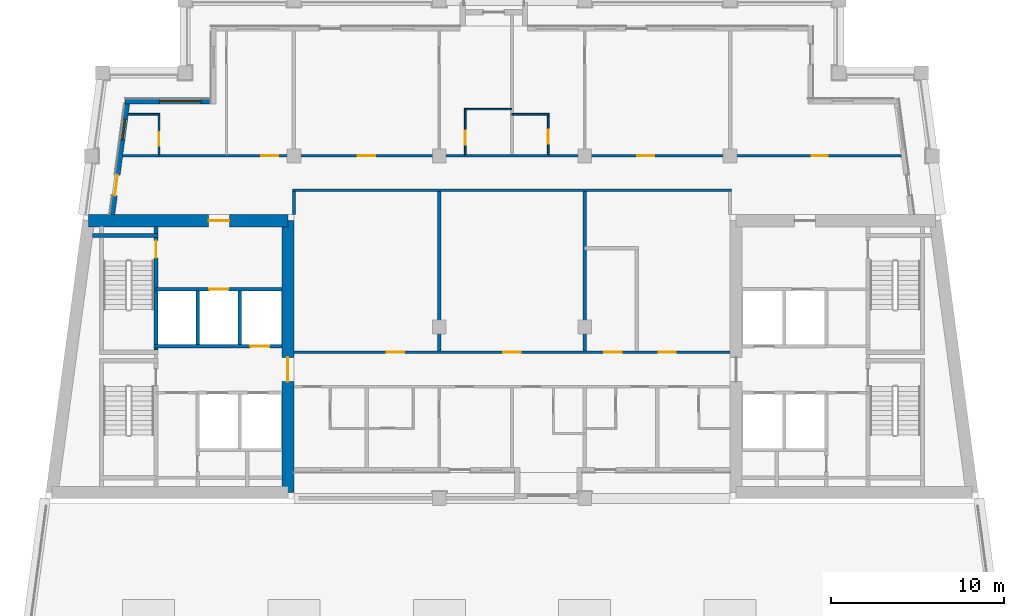
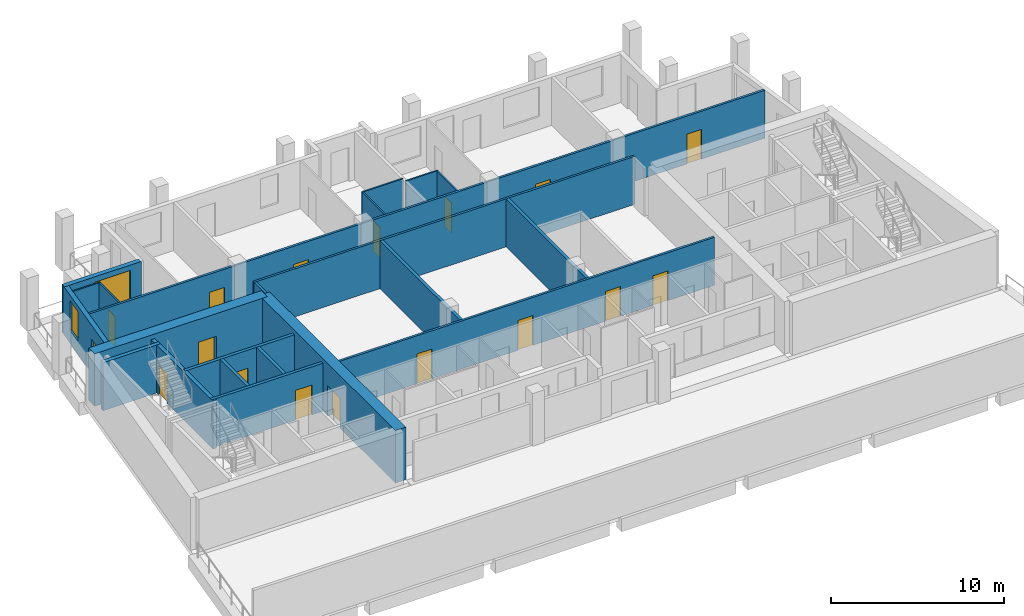
# One storey, part 3 of 12: 22 walls, 17 doors, 2 windows, 19 openings.
"""IFC4 building model written with IfcOpenShell, lengths in metres."""

from ifc_helpers import new_model, si_unit, direction, frame, frame_2d, origin, place, context, subcontext, project, spatial, rectangle, extrude, material, layer, layer_set, type_object, element, fill, save


model = new_model("IFC4")

# Units and contexts
model_context = context("Model", 3, precision=1e-05, world=origin(), true_north=direction((0.0, 1.0)))
body_context = subcontext(model_context, "Body", "Model", "MODEL_VIEW")
ifc_project = project(units=[si_unit("LENGTHUNIT", "METRE"), si_unit("AREAUNIT", "SQUARE_METRE"), si_unit("VOLUMEUNIT", "CUBIC_METRE"), si_unit("PLANEANGLEUNIT", "RADIAN"), si_unit("MASSUNIT", "GRAM", prefix="KILO")], contexts=[model_context])

# Site, building, storey
site_placement = place(None, origin())
site = spatial("IfcSite", under=ifc_project, at=site_placement, CompositionType="ELEMENT")
building_placement = place(site_placement, origin())
building = spatial("IfcBuilding", under=site, at=building_placement, Name="Candeia Pilgrim Tower and Theatre", CompositionType="ELEMENT")
storey_placement = place(building_placement, frame((0.0, 0.0, 281.199951171875)))
storey = spatial("IfcBuildingStorey", under=building, at=storey_placement, Name="L68", CompositionType="ELEMENT", Elevation=281.199951171875)

# Wall, opening, door
ifc_material_1 = material(Name="Concrete C40/50", Category="concrete")
ifc_layer_1 = layer(ifc_material_1, 0.699951171875)
ifc_layer_set_1 = layer_set([ifc_layer_1], Name="Core wall 700 C40/50")
wall_type_1 = type_object("IfcWallType", Name="Core wall 700 C40/50", PredefinedType="SHEAR", material=ifc_layer_set_1)
wall_1_placement = place(storey_placement, frame((88.936767578125, 132.050048828125, 0.0), z_axis=(0.0, 0.0, 1.0), x_axis=(1.0, 0.0, 0.0)))
wall_1 = element("IfcWall", 1, at=wall_1_placement, inside=storey, type_object=wall_type_1, Name="Core wall W1", PredefinedType="SHEAR", context=body_context, shape_type="SweptSolid", body=[
    extrude(rectangle(XDim=11.51318359375, YDim=0.699951171875, at=frame_2d((5.756591796875, 0.0))), origin(), (0.0, 0.0, 1.0), 3.699951171875),
])
opening_1_placement = place(wall_1_placement, frame((6.9267578125, 0.0, 0.0)))
opening_1 = element("IfcOpeningElement", 2, at=opening_1_placement, cuts=wall_1, Name="Opening L68-D034", PredefinedType="OPENING", context=body_context, shape_type="SweptSolid", body=[
    extrude(rectangle(XDim=1.199951171875, YDim=2.10009765625, at=frame_2d((0.60009765625, 1.050048828125))), frame((0.0, 0.35986328125, 0.0), z_axis=(0.0, -1.0, 0.0), x_axis=(1.0, 0.0, 0.0)), (0.0, 0.0, 1.0), 0.719970703125),
])
ifc_material_2 = material(Name="Steel fire door set", Category="steel")
door_type_1 = type_object("IfcDoorType", Name="D-1200-FD60", OperationType="NOTDEFINED", PredefinedType="DOOR", material=ifc_material_2)
door_1_placement = place(opening_1_placement, origin())
door_1 = element("IfcDoor", 3, at=door_1_placement, inside=storey, type_object=door_type_1, Name="Door L68-D034", OperationType="SINGLE_SWING_RIGHT", OverallHeight=2.10009765625, OverallWidth=1.199951171875, PredefinedType="DOOR", context=body_context, shape_type="SweptSolid", body=[
    extrude(rectangle(XDim=1.199951171875, YDim=2.10009765625, at=frame_2d((0.60009765625, 1.050048828125))), frame((0.0, 0.02490234375, 0.0), z_axis=(0.0, -1.0, 0.0), x_axis=(1.0, 0.0, 0.0)), (0.0, 0.0, 1.0), 0.050048828125),
])
fill(opening_1, door_1)

wall_2_placement = place(storey_placement, frame((100.449951171875, 132.050048828125, 0.0), z_axis=(0.0, 0.0, 1.0), x_axis=(0.0, -1.0, 0.0)))
wall_2 = element("IfcWall", 4, at=wall_2_placement, inside=storey, type_object=wall_type_1, Name="Core wall W2", PredefinedType="SHEAR", context=body_context, shape_type="SweptSolid", body=[
    extrude(rectangle(XDim=15.699951171875, YDim=0.699951171875, at=frame_2d((7.85009765625, 0.0))), origin(), (0.0, 0.0, 1.0), 3.699951171875),
])
opening_2_placement = place(wall_2_placement, frame((7.89990234375, 0.0, 0.0)))
opening_2 = element("IfcOpeningElement", 5, at=opening_2_placement, cuts=wall_2, Name="Opening L68-D035", PredefinedType="OPENING", context=body_context, shape_type="SweptSolid", body=[
    extrude(rectangle(XDim=1.39990234375, YDim=2.10009765625, at=frame_2d((0.699951171875, 1.050048828125))), frame((0.0, 0.35986328125, 0.0), z_axis=(0.0, -1.0, 0.0), x_axis=(1.0, 0.0, 0.0)), (0.0, 0.0, 1.0), 0.719970703125),
])
door_type_2 = type_object("IfcDoorType", Name="D-1400-FD60", OperationType="NOTDEFINED", PredefinedType="DOOR", material=ifc_material_2)
door_2_placement = place(opening_2_placement, origin())
door_2 = element("IfcDoor", 6, at=door_2_placement, inside=storey, type_object=door_type_2, Name="Door L68-D035", OperationType="SINGLE_SWING_LEFT", OverallHeight=2.10009765625, OverallWidth=1.39990234375, PredefinedType="DOOR", context=body_context, shape_type="SweptSolid", body=[
    extrude(rectangle(XDim=1.39990234375, YDim=2.10009765625, at=frame_2d((0.699951171875, 1.050048828125))), frame((0.0, 0.02490234375, 0.0), z_axis=(0.0, -1.0, 0.0), x_axis=(1.0, 0.0, 0.0)), (0.0, 0.0, 1.0), 0.050048828125),
])
fill(opening_2, door_2)

# Wall, openings, door, window
ifc_material_3 = material(Name="Ceramic block masonry", Category="masonry")
ifc_layer_2 = layer(ifc_material_3, 0.300048828125)
ifc_layer_set_2 = layer_set([ifc_layer_2], Name="EW1 glazing-line wall 300")
wall_type_2 = type_object("IfcWallType", Name="EW1 glazing-line wall 300", PredefinedType="SOLIDWALL", material=ifc_layer_set_2)
wall_3_placement = place(storey_placement, frame((91.177490234375, 138.949951171875, 0.0), z_axis=(0.0, 0.0, 1.0), x_axis=(-0.133426664613, -0.991058689065, 0.0)))
wall_3 = element("IfcWall", 7, at=wall_3_placement, inside=storey, type_object=wall_type_2, Name="External wall L68-0.0", PredefinedType="SOLIDWALL", context=body_context, shape_type="SweptSolid", body=[
    extrude(rectangle(XDim=6.609130859375, YDim=0.300048828125, at=frame_2d((3.3046875, 0.0))), origin(), (0.0, 0.0, 1.0), 3.380126953125),
])
opening_3_placement = place(wall_3_placement, frame((1.039306640625, 0.0, 0.89990234375)))
opening_3 = element("IfcOpeningElement", 8, at=opening_3_placement, cuts=wall_3, Name="Opening W-B", PredefinedType="OPENING", context=body_context, shape_type="SweptSolid", body=[
    extrude(rectangle(XDim=1.199951171875, YDim=2.10009765625, at=frame_2d((0.60009765625, 1.050048828125))), frame((0.0, 0.16015625, 0.0), z_axis=(0.0, -1.0, 0.0), x_axis=(1.0, 0.0, 0.0)), (0.0, 0.0, 1.0), 0.320068359375),
])
opening_4_placement = place(wall_3_placement, frame((4.293701171875, 0.0, 0.0)))
opening_4 = element("IfcOpeningElement", 9, at=opening_4_placement, cuts=wall_3, Name="Opening L68-ED636", PredefinedType="OPENING", context=body_context, shape_type="SweptSolid", body=[
    extrude(rectangle(XDim=1.199951171875, YDim=2.39990234375, at=frame_2d((0.60009765625, 1.199951171875))), frame((0.0, 0.16015625, 0.0), z_axis=(0.0, -1.0, 0.0), x_axis=(1.0, 0.0, 0.0)), (0.0, 0.0, 1.0), 0.320068359375),
])
ifc_material_4 = material(Name="Aluminium framed glazed door", Category="aluminium")
door_type_3 = type_object("IfcDoorType", Name="Loggia door 1200x2400", OperationType="DOUBLE_DOOR_SINGLE_SWING", PredefinedType="DOOR", material=ifc_material_4)
door_3_placement = place(opening_4_placement, origin())
door_3 = element("IfcDoor", 10, at=door_3_placement, inside=storey, type_object=door_type_3, Name="Loggia door L68-ED636", OperationType="DOUBLE_DOOR_SINGLE_SWING", OverallHeight=2.39990234375, OverallWidth=1.199951171875, PredefinedType="DOOR", context=body_context, shape_type="SweptSolid", body=[
    extrude(rectangle(XDim=1.199951171875, YDim=2.39990234375, at=frame_2d((0.60009765625, 1.199951171875))), frame((0.0, 0.02490234375, 0.0), z_axis=(0.0, -1.0, 0.0), x_axis=(1.0, 0.0, 0.0)), (0.0, 0.0, 1.0), 0.050048828125),
])
fill(opening_4, door_3)
ifc_material_5 = material(Name="Aluminium framed double glazing", Category="aluminium")
window_type_1 = type_object("IfcWindowType", Name="W-B window 1200x2100", PartitioningType="SINGLE_PANEL", PredefinedType="WINDOW", material=ifc_material_5)
window_1_placement = place(opening_3_placement, origin())
window_1 = element("IfcWindow", 11, at=window_1_placement, inside=storey, type_object=window_type_1, Name="Window W-B L68", OverallHeight=2.10009765625, OverallWidth=1.199951171875, PartitioningType="SINGLE_PANEL", PredefinedType="WINDOW", context=body_context, shape_type="SweptSolid", body=[
    extrude(rectangle(XDim=1.199951171875, YDim=2.10009765625, at=frame_2d((0.60009765625, 1.050048828125))), frame((0.0, 0.030029296875, 0.0), z_axis=(0.0, -1.0, 0.0), x_axis=(1.0, 0.0, 0.0)), (0.0, 0.0, 1.0), 0.06005859375),
])
fill(opening_3, window_1)

# Wall, opening, window
wall_4_placement = place(storey_placement, frame((96.14990234375, 138.949951171875, 0.0), z_axis=(0.0, 0.0, 1.0), x_axis=(-1.0, 0.0, 0.0)))
wall_4 = element("IfcWall", 12, at=wall_4_placement, inside=storey, type_object=wall_type_2, Name="External wall L68-7.0", PredefinedType="SOLIDWALL", context=body_context, shape_type="SweptSolid", body=[
    extrude(rectangle(XDim=5.103759765625, YDim=0.300048828125, at=frame_2d((2.5517578125, 0.0))), origin(), (0.0, 0.0, 1.0), 3.380126953125),
])
opening_5_placement = place(wall_4_placement, frame((0.72509765625, 0.0, 0.89990234375)))
opening_5 = element("IfcOpeningElement", 13, at=opening_5_placement, cuts=wall_4, Name="Opening W-A", PredefinedType="OPENING", context=body_context, shape_type="SweptSolid", body=[
    extrude(rectangle(XDim=2.39990234375, YDim=2.10009765625, at=frame_2d((1.199951171875, 1.050048828125))), frame((0.0, 0.16015625, 0.0), z_axis=(0.0, -1.0, 0.0), x_axis=(1.0, 0.0, 0.0)), (0.0, 0.0, 1.0), 0.320068359375),
])
window_type_2 = type_object("IfcWindowType", Name="W-A window 2400x2100", PartitioningType="DOUBLE_PANEL_VERTICAL", PredefinedType="WINDOW", material=ifc_material_5)
window_2_placement = place(opening_5_placement, origin())
window_2 = element("IfcWindow", 14, at=window_2_placement, inside=storey, type_object=window_type_2, Name="Window W-A L68", OverallHeight=2.10009765625, OverallWidth=2.39990234375, PartitioningType="SINGLE_PANEL", PredefinedType="WINDOW", context=body_context, shape_type="SweptSolid", body=[
    extrude(rectangle(XDim=2.39990234375, YDim=2.10009765625, at=frame_2d((1.199951171875, 1.050048828125))), frame((0.0, 0.030029296875, 0.0), z_axis=(0.0, -1.0, 0.0), x_axis=(1.0, 0.0, 0.0)), (0.0, 0.0, 1.0), 0.06005859375),
])
fill(opening_5, window_2)

# Walls
ifc_material_6 = material(Name="Gypsum board partition on steel studs", Category="steel")
ifc_layer_3 = layer(ifc_material_6, 0.10009765625)
ifc_layer_set_3 = layer_set([ifc_layer_3], Name="PW-100 room partition")
wall_type_3 = type_object("IfcWallType", Name="PW-100 room partition", PredefinedType="PARTITIONING", material=ifc_layer_set_3)
wall_5_placement = place(storey_placement, frame((91.2177734375, 138.199951171875, 0.0), z_axis=(0.0, 0.0, 1.0), x_axis=(1.0, 0.0, 0.0)))
element("IfcWall", 15, at=wall_5_placement, inside=storey, type_object=wall_type_3, Name="Room partition L68-036", PredefinedType="PARTITIONING", context=body_context, shape_type="SweptSolid", body=[
    extrude(rectangle(XDim=1.832275390625, YDim=0.10009765625, at=frame_2d((0.916015625, 0.0))), origin(), (0.0, 0.0, 1.0), 3.380126953125),
])
wall_6_placement = place(storey_placement, frame((113.39990234375, 138.199951171875, 0.0), z_axis=(0.0, 0.0, 1.0), x_axis=(1.0, 0.0, 0.0)))
element("IfcWall", 16, at=wall_6_placement, inside=storey, type_object=wall_type_3, Name="Room partition L68-037", PredefinedType="PARTITIONING", context=body_context, shape_type="SweptSolid", body=[
    extrude(rectangle(XDim=2.150146484375, YDim=0.10009765625, at=frame_2d((1.0751953125, 0.0))), origin(), (0.0, 0.0, 1.0), 3.380126953125),
])
wall_7_placement = place(storey_placement, frame((110.64990234375, 138.5, 0.0), z_axis=(0.0, 0.0, 1.0), x_axis=(1.0, 0.0, 0.0)))
element("IfcWall", 17, at=wall_7_placement, inside=storey, type_object=wall_type_3, Name="Room partition L68-038", PredefinedType="PARTITIONING", context=body_context, shape_type="SweptSolid", body=[
    extrude(rectangle(XDim=2.75, YDim=0.10009765625, at=frame_2d((1.375, 0.0))), origin(), (0.0, 0.0, 1.0), 3.380126953125),
])

# Wall, opening, door
wall_8_placement = place(storey_placement, frame((93.0, 135.875, 0.0), z_axis=(0.0, 0.0, 1.0), x_axis=(0.0, 1.0, 0.0)))
wall_8 = element("IfcWall", 18, at=wall_8_placement, inside=storey, type_object=wall_type_3, Name="Room partition L68-044", PredefinedType="PARTITIONING", context=body_context, shape_type="SweptSolid", body=[
    extrude(rectangle(XDim=2.27490234375, YDim=0.10009765625, at=frame_2d((1.137451171875, 0.0))), origin(), (0.0, 0.0, 1.0), 3.380126953125),
])
opening_6_placement = place(wall_8_placement, frame((0.5, 0.0, 0.0)))
opening_6 = element("IfcOpeningElement", 19, at=opening_6_placement, cuts=wall_8, Name="Opening L68-D022", PredefinedType="OPENING", context=body_context, shape_type="SweptSolid", body=[
    extrude(rectangle(XDim=0.800048828125, YDim=2.10009765625, at=frame_2d((0.39990234375, 1.050048828125))), frame((0.0, 0.06005859375, 0.0), z_axis=(0.0, -1.0, 0.0), x_axis=(1.0, 0.0, 0.0)), (0.0, 0.0, 1.0), 0.1201171875),
])
ifc_material_7 = material(Name="Timber door leaf", Category="wood")
door_type_4 = type_object("IfcDoorType", Name="D-800", OperationType="NOTDEFINED", PredefinedType="DOOR", material=ifc_material_7)
door_4_placement = place(opening_6_placement, origin())
door_4 = element("IfcDoor", 20, at=door_4_placement, inside=storey, type_object=door_type_4, Name="Door L68-D022", OperationType="SINGLE_SWING_RIGHT", OverallHeight=2.10009765625, OverallWidth=0.800048828125, PredefinedType="DOOR", context=body_context, shape_type="SweptSolid", body=[
    extrude(rectangle(XDim=0.800048828125, YDim=2.10009765625, at=frame_2d((0.39990234375, 1.050048828125))), frame((0.0, 0.02490234375, 0.0), z_axis=(0.0, -1.0, 0.0), x_axis=(1.0, 0.0, 0.0)), (0.0, 0.0, 1.0), 0.050048828125),
])
fill(opening_6, door_4)

wall_9_placement = place(storey_placement, frame((110.699951171875, 135.875, 0.0), z_axis=(0.0, 0.0, 1.0), x_axis=(0.0, 1.0, 0.0)))
wall_9 = element("IfcWall", 21, at=wall_9_placement, inside=storey, type_object=wall_type_3, Name="Room partition L68-059", PredefinedType="PARTITIONING", context=body_context, shape_type="SweptSolid", body=[
    extrude(rectangle(XDim=2.574951171875, YDim=0.10009765625, at=frame_2d((1.28759765625, 0.0))), origin(), (0.0, 0.0, 1.0), 3.380126953125),
])
opening_7_placement = place(wall_9_placement, frame((0.574951171875, 0.0, 0.0)))
opening_7 = element("IfcOpeningElement", 22, at=opening_7_placement, cuts=wall_9, Name="Opening L68-D025", PredefinedType="OPENING", context=body_context, shape_type="SweptSolid", body=[
    extrude(rectangle(XDim=0.800048828125, YDim=2.10009765625, at=frame_2d((0.39990234375, 1.050048828125))), frame((0.0, 0.06005859375, 0.0), z_axis=(0.0, -1.0, 0.0), x_axis=(1.0, 0.0, 0.0)), (0.0, 0.0, 1.0), 0.1201171875),
])
door_5_placement = place(opening_7_placement, origin())
door_5 = element("IfcDoor", 23, at=door_5_placement, inside=storey, type_object=door_type_4, Name="Door L68-D025", OperationType="SINGLE_SWING_LEFT", OverallHeight=2.10009765625, OverallWidth=0.800048828125, PredefinedType="DOOR", context=body_context, shape_type="SweptSolid", body=[
    extrude(rectangle(XDim=0.800048828125, YDim=2.10009765625, at=frame_2d((0.39990234375, 1.050048828125))), frame((0.0, 0.02490234375, 0.0), z_axis=(0.0, -1.0, 0.0), x_axis=(1.0, 0.0, 0.0)), (0.0, 0.0, 1.0), 0.050048828125),
])
fill(opening_7, door_5)

wall_10_placement = place(storey_placement, frame((115.5, 135.875, 0.0), z_axis=(0.0, 0.0, 1.0), x_axis=(0.0, 1.0, 0.0)))
wall_10 = element("IfcWall", 24, at=wall_10_placement, inside=storey, type_object=wall_type_3, Name="Room partition L68-062", PredefinedType="PARTITIONING", context=body_context, shape_type="SweptSolid", body=[
    extrude(rectangle(XDim=2.27490234375, YDim=0.10009765625, at=frame_2d((1.137451171875, 0.0))), origin(), (0.0, 0.0, 1.0), 3.380126953125),
])
opening_8_placement = place(wall_10_placement, frame((0.635009765625, 0.0, 0.0)))
opening_8 = element("IfcOpeningElement", 25, at=opening_8_placement, cuts=wall_10, Name="Opening L68-D028", PredefinedType="OPENING", context=body_context, shape_type="SweptSolid", body=[
    extrude(rectangle(XDim=0.800048828125, YDim=2.10009765625, at=frame_2d((0.39990234375, 1.050048828125))), frame((0.0, 0.06005859375, 0.0), z_axis=(0.0, -1.0, 0.0), x_axis=(1.0, 0.0, 0.0)), (0.0, 0.0, 1.0), 0.1201171875),
])
door_6_placement = place(opening_8_placement, origin())
door_6 = element("IfcDoor", 26, at=door_6_placement, inside=storey, type_object=door_type_4, Name="Door L68-D028", OperationType="SINGLE_SWING_RIGHT", OverallHeight=2.10009765625, OverallWidth=0.800048828125, PredefinedType="DOOR", context=body_context, shape_type="SweptSolid", body=[
    extrude(rectangle(XDim=0.800048828125, YDim=2.10009765625, at=frame_2d((0.39990234375, 1.050048828125))), frame((0.0, 0.02490234375, 0.0), z_axis=(0.0, -1.0, 0.0), x_axis=(1.0, 0.0, 0.0)), (0.0, 0.0, 1.0), 0.050048828125),
])
fill(opening_8, door_6)

# Wall, openings, doors
ifc_layer_4 = layer(ifc_material_6, 0.14990234375)
ifc_layer_set_4 = layer_set([ifc_layer_4], Name="PW-150 unit wall")
wall_type_4 = type_object("IfcWallType", Name="PW-150 unit wall", PredefinedType="PARTITIONING", material=ifc_layer_set_4)
wall_11_placement = place(storey_placement, frame((100.800048828125, 124.449951171875, 0.0), z_axis=(0.0, 0.0, 1.0), x_axis=(1.0, 0.0, 0.0)))
wall_11 = element("IfcWall", 27, at=wall_11_placement, inside=storey, type_object=wall_type_4, Name="Unit wall L68-024", PredefinedType="PARTITIONING", context=body_context, shape_type="SweptSolid", body=[
    extrude(rectangle(XDim=25.199951171875, YDim=0.14990234375, at=frame_2d((12.60009765625, 0.0))), origin(), (0.0, 0.0, 1.0), 3.380126953125),
])
opening_9_placement = place(wall_11_placement, frame((21.074951171875, 0.0, 0.0)))
opening_9 = element("IfcOpeningElement", 28, at=opening_9_placement, cuts=wall_11, Name="Opening L68-D030", PredefinedType="OPENING", context=body_context, shape_type="SweptSolid", body=[
    extrude(rectangle(XDim=1.0, YDim=2.10009765625, at=frame_2d((0.5, 1.050048828125))), frame((0.0, 0.0849609375, 0.0), z_axis=(0.0, -1.0, 0.0), x_axis=(1.0, 0.0, 0.0)), (0.0, 0.0, 1.0), 0.169921875),
])
opening_10_placement = place(wall_11_placement, frame((5.375, 0.0, 0.0)))
opening_10 = element("IfcOpeningElement", 29, at=opening_10_placement, cuts=wall_11, Name="Opening L68-D031", PredefinedType="OPENING", context=body_context, shape_type="SweptSolid", body=[
    extrude(rectangle(XDim=1.0, YDim=2.10009765625, at=frame_2d((0.5, 1.050048828125))), frame((0.0, 0.0849609375, 0.0), z_axis=(0.0, -1.0, 0.0), x_axis=(1.0, 0.0, 0.0)), (0.0, 0.0, 1.0), 0.169921875),
])
opening_11_placement = place(wall_11_placement, frame((12.10009765625, 0.0, 0.0)))
opening_11 = element("IfcOpeningElement", 30, at=opening_11_placement, cuts=wall_11, Name="Opening L68-D032", PredefinedType="OPENING", context=body_context, shape_type="SweptSolid", body=[
    extrude(rectangle(XDim=1.0, YDim=2.10009765625, at=frame_2d((0.5, 1.050048828125))), frame((0.0, 0.0849609375, 0.0), z_axis=(0.0, -1.0, 0.0), x_axis=(1.0, 0.0, 0.0)), (0.0, 0.0, 1.0), 0.169921875),
])
opening_12_placement = place(wall_11_placement, frame((17.929931640625, 0.0, 0.0)))
opening_12 = element("IfcOpeningElement", 31, at=opening_12_placement, cuts=wall_11, Name="Opening L68-D033", PredefinedType="OPENING", context=body_context, shape_type="SweptSolid", body=[
    extrude(rectangle(XDim=1.0, YDim=2.10009765625, at=frame_2d((0.5, 1.050048828125))), frame((0.0, 0.0849609375, 0.0), z_axis=(0.0, -1.0, 0.0), x_axis=(1.0, 0.0, 0.0)), (0.0, 0.0, 1.0), 0.169921875),
])
door_type_5 = type_object("IfcDoorType", Name="D-1000-FD30S", OperationType="NOTDEFINED", PredefinedType="DOOR", material=ifc_material_2)
door_7_placement = place(opening_9_placement, origin())
door_7 = element("IfcDoor", 32, at=door_7_placement, inside=storey, type_object=door_type_5, Name="Door L68-D030", OperationType="SINGLE_SWING_RIGHT", OverallHeight=2.10009765625, OverallWidth=1.0, PredefinedType="DOOR", context=body_context, shape_type="SweptSolid", body=[
    extrude(rectangle(XDim=1.0, YDim=2.10009765625, at=frame_2d((0.5, 1.050048828125))), frame((0.0, 0.02490234375, 0.0), z_axis=(0.0, -1.0, 0.0), x_axis=(1.0, 0.0, 0.0)), (0.0, 0.0, 1.0), 0.050048828125),
])
fill(opening_9, door_7)
door_8_placement = place(opening_10_placement, origin())
door_8 = element("IfcDoor", 33, at=door_8_placement, inside=storey, type_object=door_type_5, Name="Door L68-D031", OperationType="SINGLE_SWING_LEFT", OverallHeight=2.10009765625, OverallWidth=1.0, PredefinedType="DOOR", context=body_context, shape_type="SweptSolid", body=[
    extrude(rectangle(XDim=1.0, YDim=2.10009765625, at=frame_2d((0.5, 1.050048828125))), frame((0.0, 0.02490234375, 0.0), z_axis=(0.0, -1.0, 0.0), x_axis=(1.0, 0.0, 0.0)), (0.0, 0.0, 1.0), 0.050048828125),
])
fill(opening_10, door_8)
door_9_placement = place(opening_11_placement, origin())
door_9 = element("IfcDoor", 34, at=door_9_placement, inside=storey, type_object=door_type_5, Name="Door L68-D032", OperationType="SINGLE_SWING_RIGHT", OverallHeight=2.10009765625, OverallWidth=1.0, PredefinedType="DOOR", context=body_context, shape_type="SweptSolid", body=[
    extrude(rectangle(XDim=1.0, YDim=2.10009765625, at=frame_2d((0.5, 1.050048828125))), frame((0.0, 0.02490234375, 0.0), z_axis=(0.0, -1.0, 0.0), x_axis=(1.0, 0.0, 0.0)), (0.0, 0.0, 1.0), 0.050048828125),
])
fill(opening_11, door_9)
door_10_placement = place(opening_12_placement, origin())
door_10 = element("IfcDoor", 35, at=door_10_placement, inside=storey, type_object=door_type_5, Name="Door L68-D033", OperationType="SINGLE_SWING_LEFT", OverallHeight=2.10009765625, OverallWidth=1.0, PredefinedType="DOOR", context=body_context, shape_type="SweptSolid", body=[
    extrude(rectangle(XDim=1.0, YDim=2.10009765625, at=frame_2d((0.5, 1.050048828125))), frame((0.0, 0.02490234375, 0.0), z_axis=(0.0, -1.0, 0.0), x_axis=(1.0, 0.0, 0.0)), (0.0, 0.0, 1.0), 0.050048828125),
])
fill(opening_12, door_10)

# Wall
wall_12_placement = place(storey_placement, frame((100.72509765625, 133.800048828125, 0.0), z_axis=(0.0, 0.0, 1.0), x_axis=(1.0, 0.0, 0.0)))
element("IfcWall", 36, at=wall_12_placement, inside=storey, type_object=wall_type_4, Name="Unit wall L68-034", PredefinedType="PARTITIONING", context=body_context, shape_type="SweptSolid", body=[
    extrude(rectangle(XDim=25.349853515625, YDim=0.14990234375, at=frame_2d((12.6748046875, 0.0))), origin(), (0.0, 0.0, 1.0), 3.380126953125),
])

# Wall, openings, doors
wall_13_placement = place(storey_placement, frame((90.89453125, 135.800048828125, 0.0), z_axis=(0.0, 0.0, 1.0), x_axis=(1.0, 0.0, 0.0)))
wall_13 = element("IfcWall", 37, at=wall_13_placement, inside=storey, type_object=wall_type_4, Name="Unit wall L68-035", PredefinedType="PARTITIONING", context=body_context, shape_type="SweptSolid", body=[
    extrude(rectangle(XDim=45.010986328125, YDim=0.14990234375, at=frame_2d((22.50537109375, 0.0))), origin(), (0.0, 0.0, 1.0), 3.380126953125),
])
opening_13_placement = place(wall_13_placement, frame((8.00537109375, 0.0, 0.0)))
opening_13 = element("IfcOpeningElement", 38, at=opening_13_placement, cuts=wall_13, Name="Opening L68-D020", PredefinedType="OPENING", context=body_context, shape_type="SweptSolid", body=[
    extrude(rectangle(XDim=1.0, YDim=2.10009765625, at=frame_2d((0.5, 1.050048828125))), frame((0.0, 0.0849609375, 0.0), z_axis=(0.0, -1.0, 0.0), x_axis=(1.0, 0.0, 0.0)), (0.0, 0.0, 1.0), 0.169921875),
])
opening_14_placement = place(wall_13_placement, frame((13.60546875, 0.0, 0.0)))
opening_14 = element("IfcOpeningElement", 39, at=opening_14_placement, cuts=wall_13, Name="Opening L68-D023", PredefinedType="OPENING", context=body_context, shape_type="SweptSolid", body=[
    extrude(rectangle(XDim=1.0, YDim=2.10009765625, at=frame_2d((0.5, 1.050048828125))), frame((0.0, 0.0849609375, 0.0), z_axis=(0.0, -1.0, 0.0), x_axis=(1.0, 0.0, 0.0)), (0.0, 0.0, 1.0), 0.169921875),
])
opening_15_placement = place(wall_13_placement, frame((29.7353515625, 0.0, 0.0)))
opening_15 = element("IfcOpeningElement", 40, at=opening_15_placement, cuts=wall_13, Name="Opening L68-D026", PredefinedType="OPENING", context=body_context, shape_type="SweptSolid", body=[
    extrude(rectangle(XDim=1.0, YDim=2.10009765625, at=frame_2d((0.5, 1.050048828125))), frame((0.0, 0.0849609375, 0.0), z_axis=(0.0, -1.0, 0.0), x_axis=(1.0, 0.0, 0.0)), (0.0, 0.0, 1.0), 0.169921875),
])
opening_16_placement = place(wall_13_placement, frame((39.814453125, 0.0, 0.0)))
opening_16 = element("IfcOpeningElement", 41, at=opening_16_placement, cuts=wall_13, Name="Opening L68-D029", PredefinedType="OPENING", context=body_context, shape_type="SweptSolid", body=[
    extrude(rectangle(XDim=0.949951171875, YDim=2.10009765625, at=frame_2d((0.47509765625, 1.050048828125))), frame((0.0, 0.0849609375, 0.0), z_axis=(0.0, -1.0, 0.0), x_axis=(1.0, 0.0, 0.0)), (0.0, 0.0, 1.0), 0.169921875),
])
door_11_placement = place(opening_13_placement, origin())
door_11 = element("IfcDoor", 42, at=door_11_placement, inside=storey, type_object=door_type_5, Name="Door L68-D020", OperationType="SINGLE_SWING_RIGHT", OverallHeight=2.10009765625, OverallWidth=1.0, PredefinedType="DOOR", context=body_context, shape_type="SweptSolid", body=[
    extrude(rectangle(XDim=1.0, YDim=2.10009765625, at=frame_2d((0.5, 1.050048828125))), frame((0.0, 0.02490234375, 0.0), z_axis=(0.0, -1.0, 0.0), x_axis=(1.0, 0.0, 0.0)), (0.0, 0.0, 1.0), 0.050048828125),
])
fill(opening_13, door_11)
door_12_placement = place(opening_14_placement, origin())
door_12 = element("IfcDoor", 43, at=door_12_placement, inside=storey, type_object=door_type_5, Name="Door L68-D023", OperationType="SINGLE_SWING_LEFT", OverallHeight=2.10009765625, OverallWidth=1.0, PredefinedType="DOOR", context=body_context, shape_type="SweptSolid", body=[
    extrude(rectangle(XDim=1.0, YDim=2.10009765625, at=frame_2d((0.5, 1.050048828125))), frame((0.0, 0.02490234375, 0.0), z_axis=(0.0, -1.0, 0.0), x_axis=(1.0, 0.0, 0.0)), (0.0, 0.0, 1.0), 0.050048828125),
])
fill(opening_14, door_12)
door_13_placement = place(opening_15_placement, origin())
door_13 = element("IfcDoor", 44, at=door_13_placement, inside=storey, type_object=door_type_5, Name="Door L68-D026", OperationType="SINGLE_SWING_RIGHT", OverallHeight=2.10009765625, OverallWidth=1.0, PredefinedType="DOOR", context=body_context, shape_type="SweptSolid", body=[
    extrude(rectangle(XDim=1.0, YDim=2.10009765625, at=frame_2d((0.5, 1.050048828125))), frame((0.0, 0.02490234375, 0.0), z_axis=(0.0, -1.0, 0.0), x_axis=(1.0, 0.0, 0.0)), (0.0, 0.0, 1.0), 0.050048828125),
])
fill(opening_15, door_13)
door_type_6 = type_object("IfcDoorType", Name="D-950-FD30S", OperationType="NOTDEFINED", PredefinedType="DOOR", material=ifc_material_2)
door_14_placement = place(opening_16_placement, origin())
door_14 = element("IfcDoor", 45, at=door_14_placement, inside=storey, type_object=door_type_6, Name="Door L68-D029", OperationType="SINGLE_SWING_LEFT", OverallHeight=2.10009765625, OverallWidth=0.949951171875, PredefinedType="DOOR", context=body_context, shape_type="SweptSolid", body=[
    extrude(rectangle(XDim=0.949951171875, YDim=2.10009765625, at=frame_2d((0.47509765625, 1.050048828125))), frame((0.0, 0.02490234375, 0.0), z_axis=(0.0, -1.0, 0.0), x_axis=(1.0, 0.0, 0.0)), (0.0, 0.0, 1.0), 0.050048828125),
])
fill(opening_16, door_14)

# Walls
wall_14_placement = place(storey_placement, frame((100.800048828125, 132.39990234375, 0.0), z_axis=(0.0, 0.0, 1.0), x_axis=(0.0, 1.0, 0.0)))
element("IfcWall", 46, at=wall_14_placement, inside=storey, type_object=wall_type_4, Name="Unit wall L68-052", PredefinedType="PARTITIONING", context=body_context, shape_type="SweptSolid", body=[
    extrude(rectangle(XDim=1.3251953125, YDim=0.14990234375, at=frame_2d((0.66259765625, 0.0))), origin(), (0.0, 0.0, 1.0), 3.380126953125),
])
ifc_layer_5 = layer(ifc_material_6, 0.199951171875)
ifc_layer_set_5 = layer_set([ifc_layer_5], Name="PW-200 party wall")
wall_type_5 = type_object("IfcWallType", Name="PW-200 party wall", PredefinedType="PARTITIONING", material=ifc_layer_set_5)
for number, where, z_axis, x_axis, name in (
    (47, (109.199951171875, 124.52490234375, 0.0), (0.0, 0.0, 1.0), (0.0, 1.0, 0.0), "Party wall L68-058"),
    (48, (117.60009765625, 124.52490234375, 0.0), (0.0, 0.0, 1.0), (0.0, 1.0, 0.0), "Party wall L68-066"),
):
    element("IfcWall", number, at=place(storey_placement, frame(where, z_axis=z_axis, x_axis=x_axis)), inside=storey, type_object=wall_type_5, Name=name, PredefinedType="PARTITIONING", context=body_context, shape_type="SweptSolid", body=[
        extrude(rectangle(XDim=9.2001953125, YDim=0.199951171875, at=frame_2d((4.60009765625, 0.0))), origin(), (0.0, 0.0, 1.0), 3.380126953125),
    ])

# Wall, opening, door
ifc_layer_6 = layer(ifc_material_1, 0.199951171875)
ifc_layer_set_6 = layer_set([ifc_layer_6], Name="SW-200 shaft wall")
wall_type_6 = type_object("IfcWallType", Name="SW-200 shaft wall", PredefinedType="PARTITIONING", material=ifc_layer_set_6)
wall_15_placement = place(storey_placement, frame((92.701904296875, 124.800048828125, 0.0), z_axis=(0.0, 0.0, 1.0), x_axis=(1.0, 0.0, 0.0)))
wall_15 = element("IfcWall", 49, at=wall_15_placement, inside=storey, type_object=wall_type_6, Name="Shaft wall L68-025", PredefinedType="PARTITIONING", context=body_context, shape_type="SweptSolid", body=[
    extrude(rectangle(XDim=7.398193359375, YDim=0.199951171875, at=frame_2d((3.69921875, 0.0))), origin(), (0.0, 0.0, 1.0), 3.380126953125),
])
opening_17_placement = place(wall_15_placement, frame((5.572998046875, 0.0, 0.0)))
opening_17 = element("IfcOpeningElement", 50, at=opening_17_placement, cuts=wall_15, Name="Opening L68-LD04", PredefinedType="OPENING", context=body_context, shape_type="SweptSolid", body=[
    extrude(rectangle(XDim=1.10009765625, YDim=2.10009765625, at=frame_2d((0.550048828125, 1.050048828125))), frame((0.0, 0.10986328125, 0.0), z_axis=(0.0, -1.0, 0.0), x_axis=(1.0, 0.0, 0.0)), (0.0, 0.0, 1.0), 0.219970703125),
])
ifc_material_8 = material(Name="Glazed aluminium landing door", Category="aluminium")
door_type_7 = type_object("IfcDoorType", Name="LD-1100-EI120", OperationType="SLIDING_TO_LEFT", PredefinedType="DOOR", material=ifc_material_8)
door_15_placement = place(opening_17_placement, origin())
door_15 = element("IfcDoor", 51, at=door_15_placement, inside=storey, type_object=door_type_7, Name="Landing door 04 L68", OperationType="SLIDING_TO_LEFT", OverallHeight=2.10009765625, OverallWidth=1.10009765625, PredefinedType="DOOR", context=body_context, shape_type="SweptSolid", body=[
    extrude(rectangle(XDim=1.10009765625, YDim=2.10009765625, at=frame_2d((0.550048828125, 1.050048828125))), frame((0.0, 0.02490234375, 0.0), z_axis=(0.0, -1.0, 0.0), x_axis=(1.0, 0.0, 0.0)), (0.0, 0.0, 1.0), 0.050048828125),
])
fill(opening_17, door_15)

wall_16_placement = place(storey_placement, frame((92.826904296875, 128.10009765625, 0.0), z_axis=(0.0, 0.0, 1.0), x_axis=(1.0, 0.0, 0.0)))
wall_16 = element("IfcWall", 52, at=wall_16_placement, inside=storey, type_object=wall_type_6, Name="Shaft wall L68-028", PredefinedType="PARTITIONING", context=body_context, shape_type="SweptSolid", body=[
    extrude(rectangle(XDim=7.273193359375, YDim=0.199951171875, at=frame_2d((3.63671875, 0.0))), origin(), (0.0, 0.0, 1.0), 3.380126953125),
])
opening_18_placement = place(wall_16_placement, frame((3.0859375, 0.0, 0.0)))
opening_18 = element("IfcOpeningElement", 53, at=opening_18_placement, cuts=wall_16, Name="Opening L68-LD03", PredefinedType="OPENING", context=body_context, shape_type="SweptSolid", body=[
    extrude(rectangle(XDim=1.10009765625, YDim=2.10009765625, at=frame_2d((0.550048828125, 1.050048828125))), frame((0.0, 0.10986328125, 0.0), z_axis=(0.0, -1.0, 0.0), x_axis=(1.0, 0.0, 0.0)), (0.0, 0.0, 1.0), 0.219970703125),
])
door_16_placement = place(opening_18_placement, origin())
door_16 = element("IfcDoor", 54, at=door_16_placement, inside=storey, type_object=door_type_7, Name="Landing door 03 L68", OperationType="SLIDING_TO_LEFT", OverallHeight=2.10009765625, OverallWidth=1.10009765625, PredefinedType="DOOR", context=body_context, shape_type="SweptSolid", body=[
    extrude(rectangle(XDim=1.10009765625, YDim=2.10009765625, at=frame_2d((0.550048828125, 1.050048828125))), frame((0.0, 0.02490234375, 0.0), z_axis=(0.0, -1.0, 0.0), x_axis=(1.0, 0.0, 0.0)), (0.0, 0.0, 1.0), 0.050048828125),
])
fill(opening_18, door_16)

# Walls
for number, where, z_axis, x_axis, name in (
    (55, (95.251220703125, 124.89990234375, 0.0), (0.0, 0.0, 1.0), (0.0, 1.0, 0.0), "Shaft wall L68-046"),
    (56, (97.67578125, 124.89990234375, 0.0), (0.0, 0.0, 1.0), (0.0, 1.0, 0.0), "Shaft wall L68-049"),
):
    element("IfcWall", number, at=place(storey_placement, frame(where, z_axis=z_axis, x_axis=x_axis)), inside=storey, type_object=wall_type_6, Name=name, PredefinedType="PARTITIONING", context=body_context, shape_type="SweptSolid", body=[
        extrude(rectangle(XDim=3.10009765625, YDim=0.199951171875, at=frame_2d((1.550048828125, 0.0))), origin(), (0.0, 0.0, 1.0), 3.380126953125),
    ])
ifc_layer_7 = layer(ifc_material_1, 0.25)
ifc_layer_set_7 = layer_set([ifc_layer_7], Name="SW-250 stair wall")
wall_type_7 = type_object("IfcWallType", Name="SW-250 stair wall", PredefinedType="PARTITIONING", material=ifc_layer_set_7)
wall_17_placement = place(storey_placement, frame((89.1455078125, 131.199951171875, 0.0), z_axis=(0.0, 0.0, 1.0), x_axis=(1.0, 0.0, 0.0)))
element("IfcWall", 57, at=wall_17_placement, inside=storey, type_object=wall_type_7, Name="Stair wall L68-032", PredefinedType="PARTITIONING", context=body_context, shape_type="SweptSolid", body=[
    extrude(rectangle(XDim=3.806396484375, YDim=0.25, at=frame_2d((1.9033203125, 0.0))), origin(), (0.0, 0.0, 1.0), 3.380126953125),
])

# Wall, opening, door
wall_18_placement = place(storey_placement, frame((92.826904296875, 124.574951171875, 0.0), z_axis=(0.0, 0.0, 1.0), x_axis=(0.0, 1.0, 0.0)))
wall_18 = element("IfcWall", 58, at=wall_18_placement, inside=storey, type_object=wall_type_7, Name="Stair wall L68-043", PredefinedType="PARTITIONING", context=body_context, shape_type="SweptSolid", body=[
    extrude(rectangle(XDim=7.155029296875, YDim=0.25, at=frame_2d((3.57763671875, 0.0))), origin(), (0.0, 0.0, 1.0), 3.380126953125),
])
opening_19_placement = place(wall_18_placement, frame((5.324951171875, 0.0, 0.0)))
opening_19 = element("IfcOpeningElement", 59, at=opening_19_placement, cuts=wall_18, Name="Opening L68-D003", PredefinedType="OPENING", context=body_context, shape_type="SweptSolid", body=[
    extrude(rectangle(XDim=1.0, YDim=2.10009765625, at=frame_2d((0.5, 1.050048828125))), frame((0.0, 0.135009765625, 0.0), z_axis=(0.0, -1.0, 0.0), x_axis=(1.0, 0.0, 0.0)), (0.0, 0.0, 1.0), 0.27001953125),
])
door_type_8 = type_object("IfcDoorType", Name="D-1000-FD60", OperationType="NOTDEFINED", PredefinedType="DOOR", material=ifc_material_2)
door_17_placement = place(opening_19_placement, origin())
door_17 = element("IfcDoor", 60, at=door_17_placement, inside=storey, type_object=door_type_8, Name="Door L68-D003", OperationType="SINGLE_SWING_LEFT", OverallHeight=2.10009765625, OverallWidth=1.0, PredefinedType="DOOR", context=body_context, shape_type="SweptSolid", body=[
    extrude(rectangle(XDim=1.0, YDim=2.10009765625, at=frame_2d((0.5, 1.050048828125))), frame((0.0, 0.02490234375, 0.0), z_axis=(0.0, -1.0, 0.0), x_axis=(1.0, 0.0, 0.0)), (0.0, 0.0, 1.0), 0.050048828125),
])
fill(opening_19, door_17)

save(model, "model.ifc")
